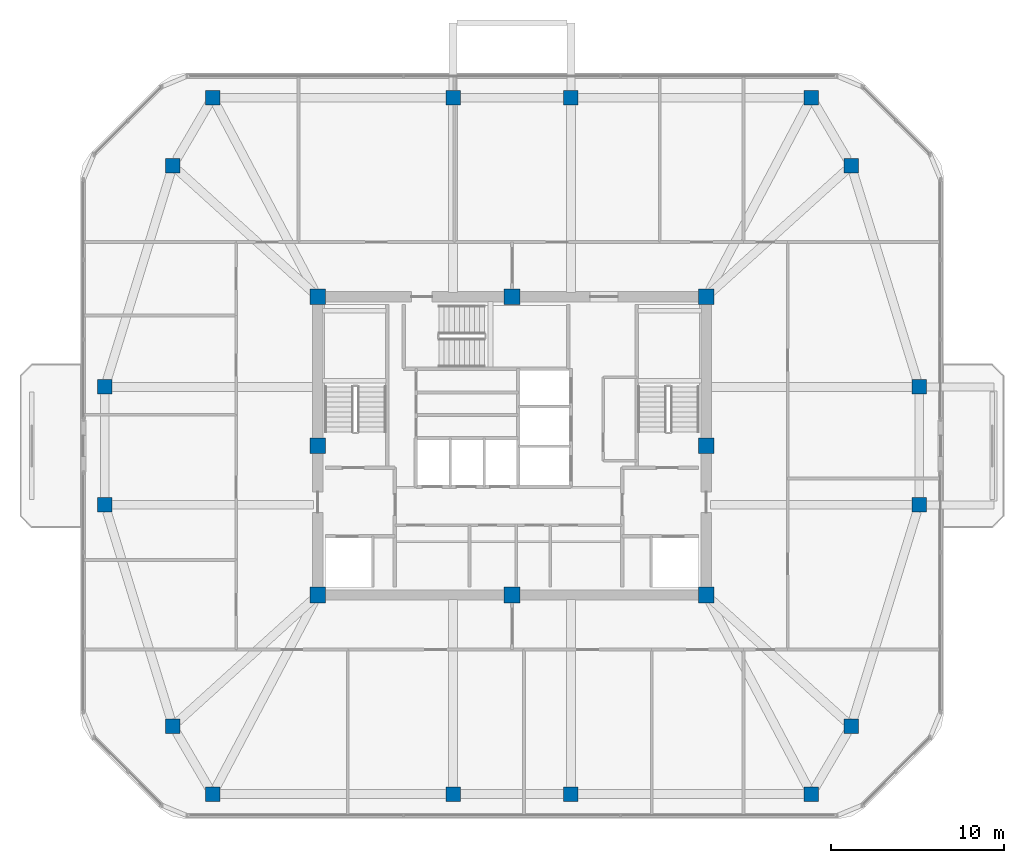
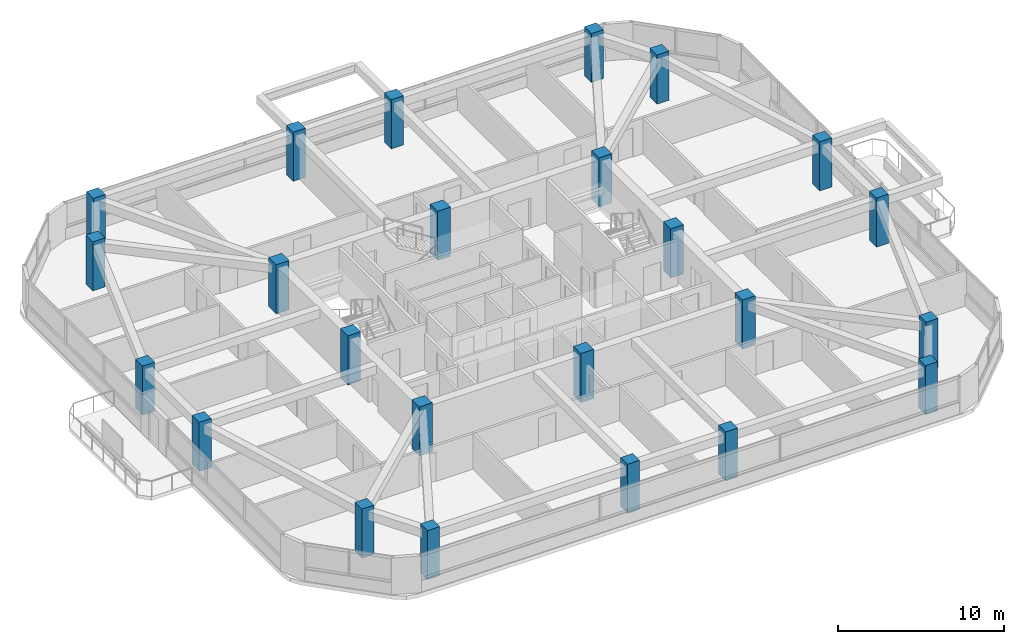
# One storey, part 1 of 14: 24 columns.
"""IFC4 building model written with IfcOpenShell, lengths in metres."""

from ifc_helpers import new_model, si_unit, derived_unit, direction, frame, origin, origin_2d, place, context, subcontext, project, spatial, rectangle, extrude, material, material_profile, profile_set, type_object, element, save


model = new_model("IFC4")

# Units and contexts
model_context = context("Model", 3, precision=1e-05, world=origin(), true_north=direction((0.0, 1.0)))
body_context = subcontext(model_context, "Body", "Model", "MODEL_VIEW")
ifc_project = project(units=[si_unit("LENGTHUNIT", "METRE"), si_unit("AREAUNIT", "SQUARE_METRE"), si_unit("VOLUMEUNIT", "CUBIC_METRE"), si_unit("PLANEANGLEUNIT", "RADIAN"), si_unit("MASSUNIT", "GRAM", prefix="KILO"), derived_unit("THERMALTRANSMITTANCEUNIT", [(si_unit("POWERUNIT", "WATT"), 1), (si_unit("LENGTHUNIT", "METRE"), -2), (si_unit("THERMODYNAMICTEMPERATUREUNIT", "KELVIN"), -1)])], contexts=[model_context])

# Site, building, storey
site_placement = place(None, origin())
site = spatial("IfcSite", under=ifc_project, at=site_placement, CompositionType="ELEMENT")
building_placement = place(site_placement, origin())
building = spatial("IfcBuilding", under=site, at=building_placement, Name="Koralith Skygarden Medical Center", CompositionType="ELEMENT")
storey_placement = place(building_placement, frame((0.0, 0.0, 242.820068359375)))
storey = spatial("IfcBuildingStorey", under=building, at=storey_placement, Name="L62", CompositionType="ELEMENT", Elevation=242.820068359375)

# Columns
ifc_material = material(Name="Concrete C55/67", Category="concrete")
ifc_material_profile_1 = material_profile(ifc_material, rectangle(XDim=0.89990234375, YDim=0.89990234375, at=origin_2d()), Name="RC900X900")
ifc_profile_set_1 = profile_set([ifc_material_profile_1], Name="Concrete C55/67")
column_type_1 = type_object("IfcColumnType", Name="Core Column C55 RC900", PredefinedType="COLUMN", material=ifc_profile_set_1)
for number, where, z_axis, x_axis, name in (
    (1, (25.800048828125, 17.300048828125, 0.0), (0.0, 0.0, 1.0), (1.0, 0.0, 0.0), "L62 Core Column CC-01"),
    (2, (37.0, 17.300048828125, 0.0), (0.0, 0.0, 1.0), (1.0, 0.0, 0.0), "L62 Core Column CC-02"),
    (3, (48.199951171875, 17.300048828125, 0.0), (0.0, 0.0, 1.0), (1.0, 0.0, 0.0), "L62 Core Column CC-03"),
    (4, (48.199951171875, 25.89990234375, 0.0), (0.0, 0.0, 1.0), (1.0, 0.0, 0.0), "L62 Core Column CC-04"),
    (5, (48.199951171875, 34.5, 0.0), (0.0, 0.0, 1.0), (1.0, 0.0, 0.0), "L62 Core Column CC-05"),
    (6, (37.0, 34.5, 0.0), (0.0, 0.0, 1.0), (1.0, 0.0, 0.0), "L62 Core Column CC-06"),
    (7, (25.800048828125, 34.5, 0.0), (0.0, 0.0, 1.0), (1.0, 0.0, 0.0), "L62 Core Column CC-07"),
    (8, (25.800048828125, 25.89990234375, 0.0), (0.0, 0.0, 1.0), (1.0, 0.0, 0.0), "L62 Core Column CC-08"),
):
    element("IfcColumn", number, at=place(storey_placement, frame(where, z_axis=z_axis, x_axis=x_axis)), inside=storey, type_object=column_type_1, Name=name, PredefinedType="COLUMN", context=body_context, shape_type="SweptSolid", body=[
        extrude(rectangle(XDim=0.89990234375, YDim=0.89990234375, at=origin_2d()), origin(), (0.0, 0.0, 1.0), 3.599853515625),
    ])
ifc_material_profile_2 = material_profile(ifc_material, rectangle(XDim=0.840087890625, YDim=0.840087890625, at=origin_2d()), Name="RC840X840")
ifc_profile_set_2 = profile_set([ifc_material_profile_2], Name="Concrete C55/67")
column_type_2 = type_object("IfcColumnType", Name="Zone 5 Upper Mega-Column C55 RC840", PredefinedType="COLUMN", material=ifc_profile_set_2)
for number, where, z_axis, x_axis, name in (
    (9, (13.52001953125, 22.5, 0.0), (0.0, 0.0, 1.0), (1.0, 0.0, 0.0), "L62 Perimeter Mega-Column MC-01"),
    (10, (17.43994140625, 9.739990234375, 0.0), (0.0, 0.0, 1.0), (1.0, 0.0, 0.0), "L62 Perimeter Mega-Column MC-02"),
    (11, (19.73193359375, 5.820068359375, 0.0), (0.0, 0.0, 1.0), (1.0, 0.0, 0.0), "L62 Perimeter Mega-Column MC-03"),
    (12, (33.60009765625, 5.820068359375, 0.0), (0.0, 0.0, 1.0), (1.0, 0.0, 0.0), "L62 Perimeter Mega-Column MC-04"),
    (13, (40.39990234375, 5.820068359375, 0.0), (0.0, 0.0, 1.0), (1.0, 0.0, 0.0), "L62 Perimeter Mega-Column MC-05"),
    (14, (54.26806640625, 5.820068359375, 0.0), (0.0, 0.0, 1.0), (1.0, 0.0, 0.0), "L62 Perimeter Mega-Column MC-06"),
    (15, (56.56005859375, 9.739990234375, 0.0), (0.0, 0.0, 1.0), (1.0, 0.0, 0.0), "L62 Perimeter Mega-Column MC-07"),
    (16, (60.47998046875, 22.5, 0.0), (0.0, 0.0, 1.0), (1.0, 0.0, 0.0), "L62 Perimeter Mega-Column MC-08"),
    (17, (60.47998046875, 29.300048828125, 0.0), (0.0, 0.0, 1.0), (1.0, 0.0, 0.0), "L62 Perimeter Mega-Column MC-09"),
    (18, (56.56005859375, 42.06005859375, 0.0), (0.0, 0.0, 1.0), (1.0, 0.0, 0.0), "L62 Perimeter Mega-Column MC-10"),
    (19, (54.26806640625, 45.97998046875, 0.0), (0.0, 0.0, 1.0), (1.0, 0.0, 0.0), "L62 Perimeter Mega-Column MC-11"),
    (20, (40.39990234375, 45.97998046875, 0.0), (0.0, 0.0, 1.0), (1.0, 0.0, 0.0), "L62 Perimeter Mega-Column MC-12"),
    (21, (33.60009765625, 45.97998046875, 0.0), (0.0, 0.0, 1.0), (1.0, 0.0, 0.0), "L62 Perimeter Mega-Column MC-13"),
    (22, (19.73193359375, 45.97998046875, 0.0), (0.0, 0.0, 1.0), (1.0, 0.0, 0.0), "L62 Perimeter Mega-Column MC-14"),
    (23, (17.43994140625, 42.06005859375, 0.0), (0.0, 0.0, 1.0), (1.0, 0.0, 0.0), "L62 Perimeter Mega-Column MC-15"),
    (24, (13.52001953125, 29.300048828125, 0.0), (0.0, 0.0, 1.0), (1.0, 0.0, 0.0), "L62 Perimeter Mega-Column MC-16"),
):
    element("IfcColumn", number, at=place(storey_placement, frame(where, z_axis=z_axis, x_axis=x_axis)), inside=storey, type_object=column_type_2, Name=name, PredefinedType="COLUMN", context=body_context, shape_type="SweptSolid", body=[
        extrude(rectangle(XDim=0.840087890625, YDim=0.840087890625, at=origin_2d()), origin(), (0.0, 0.0, 1.0), 3.599853515625),
    ])

save(model, "model.ifc")
